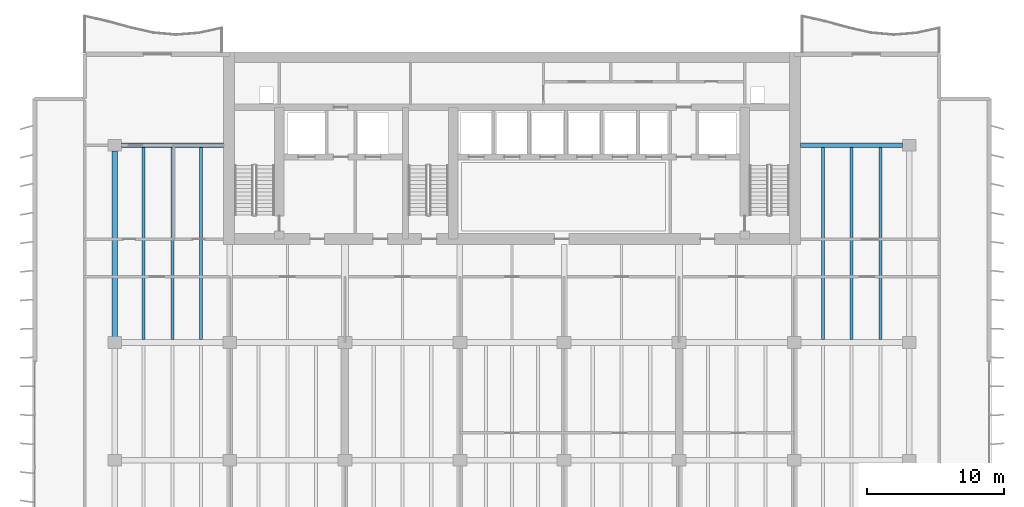
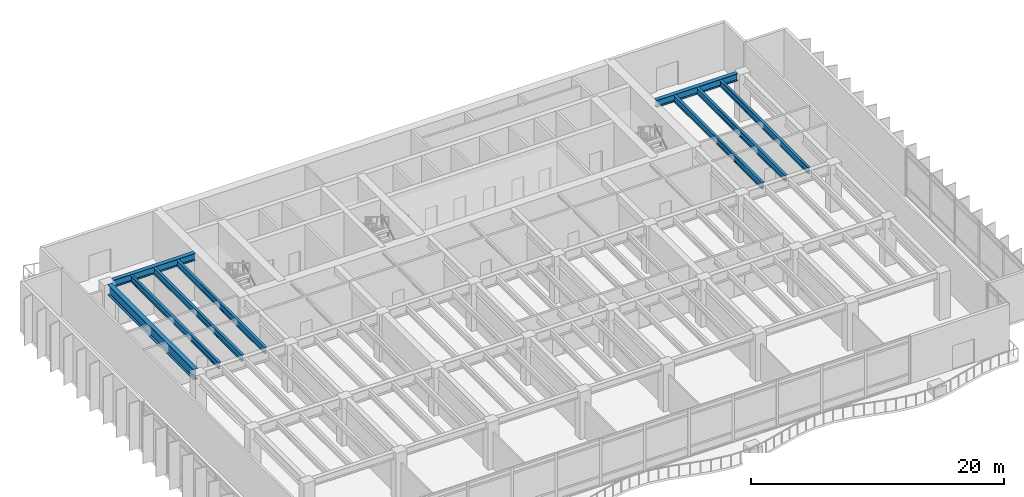
# One storey, part 5 of 16: 9 beams.
"""IFC4 building model written with IfcOpenShell, lengths in metres."""

from ifc_helpers import new_model, si_unit, direction, frame, origin, origin_2d, place, context, subcontext, project, spatial, i_section, extrude, material, material_profile, profile_set, type_object, element, save


model = new_model("IFC4")

# Units and contexts
model_context = context("Model", 3, precision=1e-05, world=origin(), true_north=direction((0.0, 1.0)))
body_context = subcontext(model_context, "Body", "Model", "MODEL_VIEW")
ifc_project = project(units=[si_unit("LENGTHUNIT", "METRE"), si_unit("AREAUNIT", "SQUARE_METRE"), si_unit("VOLUMEUNIT", "CUBIC_METRE"), si_unit("PLANEANGLEUNIT", "RADIAN"), si_unit("MASSUNIT", "GRAM", prefix="KILO")], contexts=[model_context])

# Site, building, storey
site_placement = place(None, origin())
site = spatial("IfcSite", under=ifc_project, at=site_placement, CompositionType="ELEMENT")
building_placement = place(site_placement, origin())
building = spatial("IfcBuilding", under=site, at=building_placement, Name="Caelmar Bay Residences", CompositionType="ELEMENT")
storey_placement = place(building_placement, frame((0.0, 0.0, 97.800048828125)))
storey = spatial("IfcBuildingStorey", under=building, at=storey_placement, Name="L26", CompositionType="ELEMENT", Elevation=97.800048828125)

# Beams
ifc_material = material(Name="Steel ASTM A992 Grade 50", Category="steel")
ifc_material_profile_1 = material_profile(ifc_material, i_section(OverallWidth=0.404052734375, OverallDepth=1.02099609375, WebThickness=0.025390625, FlangeThickness=0.0458984375, FilletRadius=0.02294921875, at=origin_2d()), Name="W40X324")
ifc_profile_set_1 = profile_set([ifc_material_profile_1], Name="Steel ASTM A992 Grade 50")
beam_type_1 = type_object("IfcBeamType", Name="BM-GRD-W40X324", PredefinedType="BEAM", material=ifc_profile_set_1)
beam_1_placement = place(storey_placement, frame((9.89990234375, 29.81494140625, 4.03955078125), z_axis=(0.0, 1.0, 0.0), x_axis=(-1.0, 0.0, 0.0)))
element("IfcBeam", 1, at=beam_1_placement, inside=storey, type_object=beam_type_1, Name="L26 North-South Girder X=9.90 (29.4-43.8)", PredefinedType="BEAM", context=body_context, shape_type="SweptSolid", body=[
    extrude(i_section(OverallWidth=0.404052734375, OverallDepth=1.02099609375, WebThickness=0.025390625, FlangeThickness=0.0458984375, FilletRadius=0.02294921875, at=origin_2d()), origin(), (0.0, 0.0, 1.0), 13.570068359375),
])
ifc_material_profile_2 = material_profile(ifc_material, i_section(OverallWidth=0.22900390625, OverallDepth=0.612060546875, WebThickness=0.011962890625, FlangeThickness=0.01953125, FilletRadius=0.0126953125, at=origin_2d()), Name="W24X84")
ifc_profile_set_2 = profile_set([ifc_material_profile_2], Name="Steel ASTM A992 Grade 50")
beam_type_2 = type_object("IfcBeamType", Name="BM-JST-W24X84", PredefinedType="JOIST", material=ifc_profile_set_2)
for number, where, z_axis, x_axis, name in (
    (2, (12.0, 29.60205078125, 4.243896484375), (0.0, 1.0, 0.0), (-1.0, 0.0, 0.0), "L26 Composite Floor Joist 48"),
    (3, (14.10009765625, 29.60205078125, 4.243896484375), (0.0, 1.0, 0.0), (-1.0, 0.0, 0.0), "L26 Composite Floor Joist 49"),
    (4, (16.199951171875, 29.60205078125, 4.243896484375), (0.0, 1.0, 0.0), (-1.0, 0.0, 0.0), "L26 Composite Floor Joist 50"),
    (5, (61.60009765625, 29.60205078125, 4.243896484375), (0.0, 1.0, 0.0), (-1.0, 0.0, 0.0), "L26 Composite Floor Joist 51"),
    (6, (63.699951171875, 29.60205078125, 4.243896484375), (0.0, 1.0, 0.0), (-1.0, 0.0, 0.0), "L26 Composite Floor Joist 52"),
    (7, (65.800048828125, 29.60205078125, 4.243896484375), (0.0, 1.0, 0.0), (-1.0, 0.0, 0.0), "L26 Composite Floor Joist 53"),
):
    element("IfcBeam", number, at=place(storey_placement, frame(where, z_axis=z_axis, x_axis=x_axis)), inside=storey, type_object=beam_type_2, Name=name, PredefinedType="JOIST", context=body_context, shape_type="SweptSolid", body=[
        extrude(i_section(OverallWidth=0.22900390625, OverallDepth=0.612060546875, WebThickness=0.011962890625, FlangeThickness=0.01953125, FilletRadius=0.0126953125, at=origin_2d()), origin(), (0.0, 0.0, 1.0), 14.02001953125),
    ])
ifc_material_profile_3 = material_profile(ifc_material, i_section(OverallWidth=0.35595703125, OverallDepth=0.696044921875, WebThickness=0.015380859375, FlangeThickness=0.02490234375, FilletRadius=0.01513671875, at=origin_2d()), Name="W27X146")
ifc_profile_set_3 = profile_set([ifc_material_profile_3], Name="Steel ASTM A992 Grade 50")
beam_type_3 = type_object("IfcBeamType", Name="BM-SPN-W27X146", PredefinedType="SPANDREL", material=ifc_profile_set_3)
beam_2_placement = place(storey_placement, frame((10.389892578125, 43.800048828125, 4.201904296875), z_axis=(1.0, 0.0, 0.0), x_axis=(0.0, 1.0, 0.0)))
element("IfcBeam", 8, at=beam_2_placement, inside=storey, type_object=beam_type_3, Name="L26 North-West Wing Core Tie Girder", PredefinedType="SPANDREL", context=body_context, shape_type="SweptSolid", body=[
    extrude(i_section(OverallWidth=0.35595703125, OverallDepth=0.696044921875, WebThickness=0.015380859375, FlangeThickness=0.02490234375, FilletRadius=0.01513671875, at=origin_2d()), origin(), (0.0, 0.0, 1.0), 7.460205078125),
])
beam_3_placement = place(storey_placement, frame((59.949951171875, 43.800048828125, 4.201904296875), z_axis=(1.0, 0.0, 0.0), x_axis=(0.0, 1.0, 0.0)))
element("IfcBeam", 9, at=beam_3_placement, inside=storey, type_object=beam_type_3, Name="L26 North-East Wing Core Tie Girder", PredefinedType="SPANDREL", context=body_context, shape_type="SweptSolid", body=[
    extrude(i_section(OverallWidth=0.35595703125, OverallDepth=0.696044921875, WebThickness=0.015380859375, FlangeThickness=0.02490234375, FilletRadius=0.01513671875, at=origin_2d()), origin(), (0.0, 0.0, 1.0), 7.4599609375),
])

save(model, "model.ifc")
